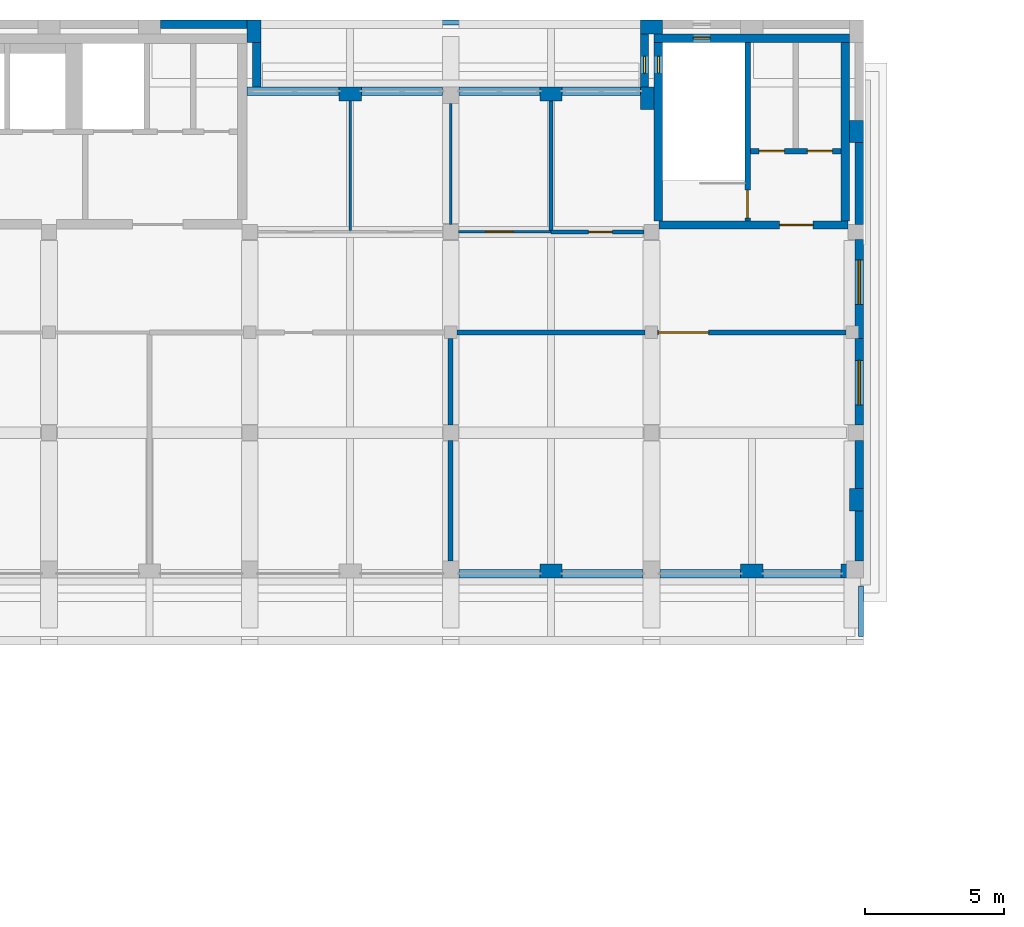
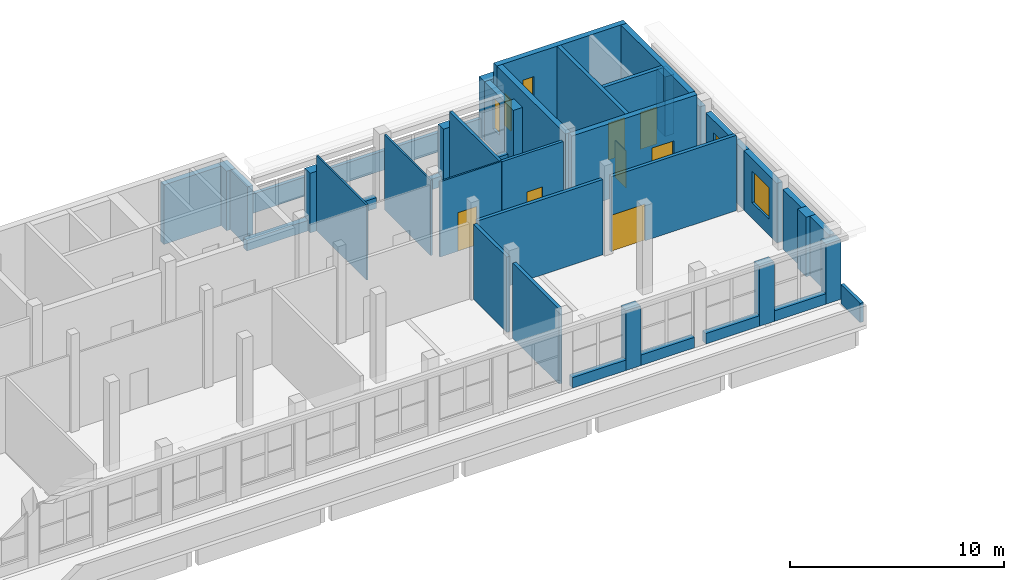
# One storey, part 20 of 30: 43 walls, 7 doors, 5 windows, 12 openings.
"""IFC4 building model written with IfcOpenShell, lengths in metres."""

from ifc_helpers import new_model, si_unit, direction, frame, frame_2d, origin, place, context, subcontext, project, spatial, rectangle, extrude, material, layer, layer_set, type_object, element, fill, save


model = new_model("IFC4")

# Units and contexts
model_context = context("Model", 3, precision=1e-05, world=origin(), true_north=direction((0.0, 1.0)))
body_context = subcontext(model_context, "Body", "Model", "MODEL_VIEW")
ifc_project = project(units=[si_unit("LENGTHUNIT", "METRE"), si_unit("AREAUNIT", "SQUARE_METRE"), si_unit("VOLUMEUNIT", "CUBIC_METRE"), si_unit("PLANEANGLEUNIT", "RADIAN"), si_unit("MASSUNIT", "GRAM", prefix="KILO")], contexts=[model_context])

# Site, building, storey
site_placement = place(None, origin())
site = spatial("IfcSite", under=ifc_project, at=site_placement, CompositionType="ELEMENT")
building_placement = place(site_placement, origin())
building = spatial("IfcBuilding", under=site, at=building_placement, Name="Ussher Court Research Institute", CompositionType="ELEMENT")
storey_placement = place(building_placement, frame((0.0, 0.0, 27.89990234375)))
storey = spatial("IfcBuildingStorey", under=building, at=storey_placement, Name="L06", CompositionType="ELEMENT", Elevation=27.89990234375)

# Wall
ifc_material_1 = material(Name="Plasterboard on steel studs with mineral wool", Category="steel")
ifc_layer_1 = layer(ifc_material_1, 0.179931640625)
ifc_layer_set_1 = layer_set([ifc_layer_1], Name="Plasterboard on steel studs with mineral wool")
wall_type_1 = type_object("IfcWallType", Name="Acoustic twin-stud partition 180", PredefinedType="PARTITIONING", material=ifc_layer_set_1)
wall_1_placement = place(storey_placement, frame((68.02490234375, 79.60009765625, 0.0), z_axis=(0.0, 0.0, 1.0), x_axis=(1.0, 0.0, 0.0)))
element("IfcWall", 1, at=wall_1_placement, inside=storey, type_object=wall_type_1, Name="Partition", PredefinedType="PARTITIONING", context=body_context, shape_type="SweptSolid", body=[
    extrude(rectangle(XDim=6.75, YDim=0.179931640625, at=frame_2d((3.375, 0.0))), origin(), (0.0, 0.0, 1.0), 4.300048828125),
])

# Wall, opening, door
wall_2_placement = place(storey_placement, frame((75.22509765625, 79.60009765625, 0.0), z_axis=(0.0, 0.0, 1.0), x_axis=(1.0, 0.0, 0.0)))
wall_2 = element("IfcWall", 2, at=wall_2_placement, inside=storey, type_object=wall_type_1, Name="Partition", PredefinedType="PARTITIONING", context=body_context, shape_type="SweptSolid", body=[
    extrude(rectangle(XDim=6.75, YDim=0.179931640625, at=frame_2d((3.375, 0.0))), origin(), (0.0, 0.0, 1.0), 4.300048828125),
])
opening_1_placement = place(wall_2_placement, frame((0.02490234375, 0.0, 0.0)))
opening_1 = element("IfcOpeningElement", 3, at=opening_1_placement, cuts=wall_2, Name="Opening D06020", PredefinedType="OPENING", context=body_context, shape_type="SweptSolid", body=[
    extrude(rectangle(XDim=1.800048828125, YDim=2.10009765625, at=frame_2d((0.89990234375, 1.050048828125))), frame((0.0, 0.10009765625, 0.0), z_axis=(0.0, -1.0, 0.0), x_axis=(1.0, 0.0, 0.0)), (0.0, 0.0, 1.0), 0.199951171875),
])
ifc_material_2 = material(Name="Veneered timber door", Category="wood")
door_type_1 = type_object("IfcDoorType", Name="Library door 1800x2100 double leaf", OperationType="DOUBLE_DOOR_SINGLE_SWING", PredefinedType="DOOR", material=ifc_material_2)
door_1_placement = place(opening_1_placement, origin())
door_1 = element("IfcDoor", 4, at=door_1_placement, inside=storey, type_object=door_type_1, Name="Door D06020", OperationType="SINGLE_SWING_LEFT", OverallHeight=2.10009765625, OverallWidth=1.800048828125, PredefinedType="DOOR", context=body_context, shape_type="SweptSolid", body=[
    extrude(rectangle(XDim=1.800048828125, YDim=2.10009765625, at=frame_2d((0.89990234375, 1.050048828125))), frame((0.0, 0.02490234375, 0.0), z_axis=(0.0, -1.0, 0.0), x_axis=(1.0, 0.0, 0.0)), (0.0, 0.0, 1.0), 0.050048828125),
])
fill(opening_1, door_1)

# Walls
wall_3_placement = place(storey_placement, frame((67.800048828125, 71.39990234375, 0.0), z_axis=(0.0, 0.0, 1.0), x_axis=(0.0, 1.0, 0.0)))
element("IfcWall", 5, at=wall_3_placement, inside=storey, type_object=wall_type_1, Name="Partition", PredefinedType="PARTITIONING", context=body_context, shape_type="SweptSolid", body=[
    extrude(rectangle(XDim=4.3251953125, YDim=0.179931640625, at=frame_2d((2.16259765625, 0.0))), origin(), (0.0, 0.0, 1.0), 4.300048828125),
])
wall_4_placement = place(storey_placement, frame((67.800048828125, 76.27490234375, 0.0), z_axis=(0.0, 0.0, 1.0), x_axis=(0.0, 1.0, 0.0)))
element("IfcWall", 6, at=wall_4_placement, inside=storey, type_object=wall_type_1, Name="Partition", PredefinedType="PARTITIONING", context=body_context, shape_type="SweptSolid", body=[
    extrude(rectangle(XDim=3.10009765625, YDim=0.179931640625, at=frame_2d((1.550048828125, 0.0))), origin(), (0.0, 0.0, 1.0), 4.300048828125),
])
ifc_material_3 = material(Name="Blockwork with cream render", Category="masonry")
ifc_layer_2 = layer(ifc_material_3, 0.300048828125)
ifc_layer_set_2 = layer_set([ifc_layer_2], Name="Blockwork with cream render")
wall_type_2 = type_object("IfcWallType", Name="External wall 300 cream render", PredefinedType="SOLIDWALL", material=ifc_layer_set_2)
wall_5_placement = place(storey_placement, frame((81.800048828125, 70.949951171875, 0.0), z_axis=(0.0, 0.0, 1.0), x_axis=(-1.0, 0.0, 0.0)))
element("IfcWall", 7, at=wall_5_placement, inside=storey, type_object=wall_type_2, Name="Plinth wall EW1 L06", PredefinedType="SOLIDWALL", context=body_context, shape_type="SweptSolid", body=[
    extrude(rectangle(XDim=2.800048828125, YDim=0.300048828125, at=frame_2d((1.39990234375, 0.0))), origin(), (0.0, 0.0, 1.0), 0.60009765625),
])
for number, where, z_axis, x_axis, name in (
    (8, (78.199951171875, 70.949951171875, 0.0), (0.0, 0.0, 1.0), (-1.0, 0.0, 0.0), "Plinth wall EW1 L06"),
    (9, (74.699951171875, 70.949951171875, 0.0), (0.0, 0.0, 1.0), (-1.0, 0.0, 0.0), "Plinth wall EW1 L06"),
    (10, (71.0, 70.949951171875, 0.0), (0.0, 0.0, 1.0), (-1.0, 0.0, 0.0), "Plinth wall EW1 L06"),
):
    element("IfcWall", number, at=place(storey_placement, frame(where, z_axis=z_axis, x_axis=x_axis)), inside=storey, type_object=wall_type_2, Name=name, PredefinedType="SOLIDWALL", context=body_context, shape_type="SweptSolid", body=[
        extrude(rectangle(XDim=2.89990234375, YDim=0.300048828125, at=frame_2d((1.449951171875, 0.0))), origin(), (0.0, 0.0, 1.0), 0.60009765625),
    ])
wall_6_placement = place(storey_placement, frame((60.5, 88.25, 0.0), z_axis=(0.0, 0.0, 1.0), x_axis=(1.0, 0.0, 0.0)))
element("IfcWall", 11, at=wall_6_placement, inside=storey, type_object=wall_type_2, Name="Plinth wall EW1 L06", PredefinedType="SOLIDWALL", context=body_context, shape_type="SweptSolid", body=[
    extrude(rectangle(XDim=3.300048828125, YDim=0.300048828125, at=frame_2d((1.64990234375, 0.0))), origin(), (0.0, 0.0, 1.0), 0.60009765625),
])
for number, where, z_axis, x_axis, name in (
    (12, (64.60009765625, 88.25, 0.0), (0.0, 0.0, 1.0), (1.0, 0.0, 0.0), "Plinth wall EW1 L06"),
    (13, (68.10009765625, 88.25, 0.0), (0.0, 0.0, 1.0), (1.0, 0.0, 0.0), "Plinth wall EW1 L06"),
):
    element("IfcWall", number, at=place(storey_placement, frame(where, z_axis=z_axis, x_axis=x_axis)), inside=storey, type_object=wall_type_2, Name=name, PredefinedType="SOLIDWALL", context=body_context, shape_type="SweptSolid", body=[
        extrude(rectangle(XDim=2.89990234375, YDim=0.300048828125, at=frame_2d((1.449951171875, 0.0))), origin(), (0.0, 0.0, 1.0), 0.60009765625),
    ])
wall_7_placement = place(storey_placement, frame((71.800048828125, 88.25, 0.0), z_axis=(0.0, 0.0, 1.0), x_axis=(1.0, 0.0, 0.0)))
element("IfcWall", 14, at=wall_7_placement, inside=storey, type_object=wall_type_2, Name="Plinth wall EW1 L06", PredefinedType="SOLIDWALL", context=body_context, shape_type="SweptSolid", body=[
    extrude(rectangle(XDim=2.800048828125, YDim=0.300048828125, at=frame_2d((1.39990234375, 0.0))), origin(), (0.0, 0.0, 1.0), 0.60009765625),
])

# Wall, opening, window
wall_8_placement = place(storey_placement, frame((82.449951171875, 82.925048828125, 0.0), z_axis=(0.0, 0.0, 1.0), x_axis=(0.0, -1.0, 0.0)))
wall_8 = element("IfcWall", 15, at=wall_8_placement, inside=storey, type_object=wall_type_2, Name="External wall EW1 L06", PredefinedType="SOLIDWALL", context=body_context, shape_type="SweptSolid", body=[
    extrude(rectangle(XDim=3.550048828125, YDim=0.300048828125, at=frame_2d((1.77490234375, 0.0))), origin(), (0.0, 0.0, 1.0), 3.400146484375),
])
opening_2_placement = place(wall_8_placement, frame((0.72509765625, 0.0, 0.89990234375)))
opening_2 = element("IfcOpeningElement", 16, at=opening_2_placement, cuts=wall_8, Name="Opening W02", PredefinedType="OPENING", context=body_context, shape_type="SweptSolid", body=[
    extrude(rectangle(XDim=1.60009765625, YDim=1.800048828125, at=frame_2d((0.800048828125, 0.89990234375))), frame((0.0, 0.16015625, 0.0), z_axis=(0.0, -1.0, 0.0), x_axis=(1.0, 0.0, 0.0)), (0.0, 0.0, 1.0), 0.320068359375),
])
ifc_material_4 = material(Name="Bronze anodised aluminium with double glazing", Category="aluminium")
window_type_1 = type_object("IfcWindowType", Name="Attic window 1600x1800", PartitioningType="DOUBLE_PANEL_VERTICAL", PredefinedType="WINDOW", material=ifc_material_4)
window_1_placement = place(opening_2_placement, origin())
window_1 = element("IfcWindow", 17, at=window_1_placement, inside=storey, type_object=window_type_1, Name="Window W02 L06", OverallHeight=1.800048828125, OverallWidth=1.60009765625, PartitioningType="SINGLE_PANEL", PredefinedType="WINDOW", context=body_context, shape_type="SweptSolid", body=[
    extrude(rectangle(XDim=1.60009765625, YDim=1.800048828125, at=frame_2d((0.800048828125, 0.89990234375))), frame((0.0, 0.030029296875, 0.0), z_axis=(0.0, -1.0, 0.0), x_axis=(1.0, 0.0, 0.0)), (0.0, 0.0, 1.0), 0.06005859375),
])
fill(opening_2, window_1)

wall_9_placement = place(storey_placement, frame((82.449951171875, 79.375, 0.0), z_axis=(0.0, 0.0, 1.0), x_axis=(0.0, -1.0, 0.0)))
wall_9 = element("IfcWall", 18, at=wall_9_placement, inside=storey, type_object=wall_type_2, Name="External wall EW1 L06", PredefinedType="SOLIDWALL", context=body_context, shape_type="SweptSolid", body=[
    extrude(rectangle(XDim=3.10009765625, YDim=0.300048828125, at=frame_2d((1.550048828125, 0.0))), origin(), (0.0, 0.0, 1.0), 3.400146484375),
])
opening_3_placement = place(wall_9_placement, frame((0.77490234375, 0.0, 0.89990234375)))
opening_3 = element("IfcOpeningElement", 19, at=opening_3_placement, cuts=wall_9, Name="Opening W02", PredefinedType="OPENING", context=body_context, shape_type="SweptSolid", body=[
    extrude(rectangle(XDim=1.60009765625, YDim=1.800048828125, at=frame_2d((0.800048828125, 0.89990234375))), frame((0.0, 0.16015625, 0.0), z_axis=(0.0, -1.0, 0.0), x_axis=(1.0, 0.0, 0.0)), (0.0, 0.0, 1.0), 0.320068359375),
])
window_2_placement = place(opening_3_placement, origin())
window_2 = element("IfcWindow", 20, at=window_2_placement, inside=storey, type_object=window_type_1, Name="Window W02 L06", OverallHeight=1.800048828125, OverallWidth=1.60009765625, PartitioningType="SINGLE_PANEL", PredefinedType="WINDOW", context=body_context, shape_type="SweptSolid", body=[
    extrude(rectangle(XDim=1.60009765625, YDim=1.800048828125, at=frame_2d((0.800048828125, 0.89990234375))), frame((0.0, 0.030029296875, 0.0), z_axis=(0.0, -1.0, 0.0), x_axis=(1.0, 0.0, 0.0)), (0.0, 0.0, 1.0), 0.06005859375),
])
fill(opening_3, window_2)

# Walls
wall_10_placement = place(storey_placement, frame((82.449951171875, 75.72509765625, 0.0), z_axis=(0.0, 0.0, 1.0), x_axis=(0.0, -1.0, 0.0)))
element("IfcWall", 21, at=wall_10_placement, inside=storey, type_object=wall_type_2, Name="External wall EW1 L06", PredefinedType="SOLIDWALL", context=body_context, shape_type="SweptSolid", body=[
    extrude(rectangle(XDim=1.72509765625, YDim=0.300048828125, at=frame_2d((0.862548828125, 0.0))), origin(), (0.0, 0.0, 1.0), 3.400146484375),
])
wall_11_placement = place(storey_placement, frame((82.449951171875, 73.199951171875, 0.0), z_axis=(0.0, 0.0, 1.0), x_axis=(0.0, -1.0, 0.0)))
element("IfcWall", 22, at=wall_11_placement, inside=storey, type_object=wall_type_2, Name="External wall EW1 L06", PredefinedType="SOLIDWALL", context=body_context, shape_type="SweptSolid", body=[
    extrude(rectangle(XDim=1.800048828125, YDim=0.300048828125, at=frame_2d((0.89990234375, 0.0))), origin(), (0.0, 0.0, 1.0), 3.400146484375),
])
ifc_material_5 = material(Name="Limestone facing on blockwork", Category="masonry")
ifc_layer_3 = layer(ifc_material_5, 0.300048828125)
ifc_layer_set_3 = layer_set([ifc_layer_3], Name="Limestone facing on blockwork")
wall_type_3 = type_object("IfcWallType", Name="External wall 300 stair enclosure", PredefinedType="SOLIDWALL", material=ifc_layer_set_3)
wall_12_placement = place(storey_placement, frame((57.39990234375, 90.64990234375, 0.0), z_axis=(0.0, 0.0, 1.0), x_axis=(1.0, 0.0, 0.0)))
element("IfcWall", 23, at=wall_12_placement, inside=storey, type_object=wall_type_3, Name="External wall EW5 L06", PredefinedType="SOLIDWALL", context=body_context, shape_type="SweptSolid", body=[
    extrude(rectangle(XDim=3.10009765625, YDim=0.300048828125, at=frame_2d((1.550048828125, 0.0))), origin(), (0.0, 0.0, 1.0), 3.400146484375),
])
wall_13_placement = place(storey_placement, frame((60.85009765625, 90.0, 0.0), z_axis=(0.0, 0.0, 1.0), x_axis=(0.0, -1.0, 0.0)))
element("IfcWall", 24, at=wall_13_placement, inside=storey, type_object=wall_type_3, Name="External wall EW5 L06", PredefinedType="SOLIDWALL", context=body_context, shape_type="SweptSolid", body=[
    extrude(rectangle(XDim=1.60009765625, YDim=0.300048828125, at=frame_2d((0.800048828125, 0.0))), origin(), (0.0, 0.0, 1.0), 3.400146484375),
])

# Wall, opening, window
wall_14_placement = place(storey_placement, frame((74.75, 88.39990234375, 0.0), z_axis=(0.0, 0.0, 1.0), x_axis=(0.0, 1.0, 0.0)))
wall_14 = element("IfcWall", 25, at=wall_14_placement, inside=storey, type_object=wall_type_3, Name="External wall EW5 L06", PredefinedType="SOLIDWALL", context=body_context, shape_type="SweptSolid", body=[
    extrude(rectangle(XDim=1.900146484375, YDim=0.300048828125, at=frame_2d((0.9501953125, 0.0))), origin(), (0.0, 0.0, 1.0), 3.400146484375),
])
opening_4_placement = place(wall_14_placement, frame((0.5, 0.0, 1.199951171875)))
opening_4 = element("IfcOpeningElement", 26, at=opening_4_placement, cuts=wall_14, Name="Opening W25", PredefinedType="OPENING", context=body_context, shape_type="SweptSolid", body=[
    extrude(rectangle(XDim=0.60009765625, YDim=1.800048828125, at=frame_2d((0.300048828125, 0.89990234375))), frame((0.0, 0.16015625, 0.0), z_axis=(0.0, -1.0, 0.0), x_axis=(1.0, 0.0, 0.0)), (0.0, 0.0, 1.0), 0.320068359375),
])
ifc_material_6 = material(Name="Bronze anodised aluminium with double glazing", Category="aluminium")
window_type_2 = type_object("IfcWindowType", Name="Stair light slot window 600x1800 fire-resisting glazing", PartitioningType="SINGLE_PANEL", PredefinedType="WINDOW", material=ifc_material_6)
window_3_placement = place(opening_4_placement, origin())
window_3 = element("IfcWindow", 27, at=window_3_placement, inside=storey, type_object=window_type_2, Name="Window W25 L06", OverallHeight=1.800048828125, OverallWidth=0.60009765625, PartitioningType="SINGLE_PANEL", PredefinedType="WINDOW", context=body_context, shape_type="SweptSolid", body=[
    extrude(rectangle(XDim=0.60009765625, YDim=1.800048828125, at=frame_2d((0.300048828125, 0.89990234375))), frame((0.0, 0.030029296875, 0.0), z_axis=(0.0, -1.0, 0.0), x_axis=(1.0, 0.0, 0.0)), (0.0, 0.0, 1.0), 0.06005859375),
])
fill(opening_4, window_3)

# Wall
wall_15_placement = place(storey_placement, frame((82.449951171875, 86.39990234375, 0.0), z_axis=(0.0, 0.0, 1.0), x_axis=(0.0, -1.0, 0.0)))
element("IfcWall", 28, at=wall_15_placement, inside=storey, type_object=wall_type_3, Name="External wall EW5 L06", PredefinedType="SOLIDWALL", context=body_context, shape_type="SweptSolid", body=[
    extrude(rectangle(XDim=2.9248046875, YDim=0.300048828125, at=frame_2d((1.46240234375, 0.0))), origin(), (0.0, 0.0, 1.0), 3.400146484375),
])

# Wall, opening, door
ifc_material_7 = material(Name="Plastered blockwork", Category="masonry")
ifc_layer_4 = layer(ifc_material_7, 0.14990234375)
ifc_layer_set_4 = layer_set([ifc_layer_4], Name="Plastered blockwork")
wall_type_4 = type_object("IfcWallType", Name="Fire partition blockwork 150 EI 60", PredefinedType="PARTITIONING", material=ifc_layer_set_4)
wall_16_placement = place(storey_placement, frame((71.39990234375, 83.199951171875, 0.0), z_axis=(0.0, 0.0, 1.0), x_axis=(1.0, 0.0, 0.0)))
wall_16 = element("IfcWall", 29, at=wall_16_placement, inside=storey, type_object=wall_type_4, Name="Fire partition", PredefinedType="PARTITIONING", context=body_context, shape_type="SweptSolid", body=[
    extrude(rectangle(XDim=3.3251953125, YDim=0.14990234375, at=frame_2d((1.66259765625, 0.0))), origin(), (0.0, 0.0, 1.0), 4.300048828125),
])
opening_5_placement = place(wall_16_placement, frame((1.35009765625, 0.0, 0.0)))
opening_5 = element("IfcOpeningElement", 30, at=opening_5_placement, cuts=wall_16, Name="Opening D06019", PredefinedType="OPENING", context=body_context, shape_type="SweptSolid", body=[
    extrude(rectangle(XDim=0.85009765625, YDim=2.10009765625, at=frame_2d((0.425048828125, 1.050048828125))), frame((0.0, 0.0849609375, 0.0), z_axis=(0.0, -1.0, 0.0), x_axis=(1.0, 0.0, 0.0)), (0.0, 0.0, 1.0), 0.169921875),
])
ifc_material_8 = material(Name="Painted steel faced fire door", Category="steel")
door_type_2 = type_object("IfcDoorType", Name="Service store door 850x2100 FD60", OperationType="NOTDEFINED", PredefinedType="DOOR", material=ifc_material_8)
door_2_placement = place(opening_5_placement, origin())
door_2 = element("IfcDoor", 31, at=door_2_placement, inside=storey, type_object=door_type_2, Name="Door D06019", OperationType="SINGLE_SWING_RIGHT", OverallHeight=2.10009765625, OverallWidth=0.85009765625, PredefinedType="DOOR", context=body_context, shape_type="SweptSolid", body=[
    extrude(rectangle(XDim=0.85009765625, YDim=2.10009765625, at=frame_2d((0.425048828125, 1.050048828125))), frame((0.0, 0.02490234375, 0.0), z_axis=(0.0, -1.0, 0.0), x_axis=(1.0, 0.0, 0.0)), (0.0, 0.0, 1.0), 0.050048828125),
])
fill(opening_5, door_2)

# Walls
wall_17_placement = place(storey_placement, frame((71.39990234375, 83.2451171875, 0.0), z_axis=(0.0, 0.0, 1.0), x_axis=(0.0, 1.0, 0.0)))
element("IfcWall", 32, at=wall_17_placement, inside=storey, type_object=wall_type_4, Name="Fire partition", PredefinedType="PARTITIONING", context=body_context, shape_type="SweptSolid", body=[
    extrude(rectangle(XDim=4.65478515625, YDim=0.14990234375, at=frame_2d((2.327392578125, 0.0))), origin(), (0.0, 0.0, 1.0), 4.300048828125),
])
ifc_material_9 = material(Name="Blockwork with cream render", Category="masonry")
ifc_layer_5 = layer(ifc_material_9, 0.179931640625)
ifc_layer_set_5 = layer_set([ifc_layer_5], Name="Blockwork with cream render")
wall_type_5 = type_object("IfcWallType", Name="Parapet 180 cream render", PredefinedType="PARAPET", material=ifc_layer_set_5)
wall_18_placement = place(storey_placement, frame((82.510009765625, 68.699951171875, 0.0), z_axis=(0.0, 0.0, 1.0), x_axis=(0.0, 1.0, 0.0)))
element("IfcWall", 33, at=wall_18_placement, inside=storey, type_object=wall_type_5, Name="Parapet PW1", PredefinedType="PARAPET", context=body_context, shape_type="SweptSolid", body=[
    extrude(rectangle(XDim=1.800048828125, YDim=0.179931640625, at=frame_2d((0.89990234375, 0.0))), origin(), (0.0, 0.0, 1.0), 1.10009765625),
])
wall_19_placement = place(storey_placement, frame((74.60009765625, 90.7099609375, 0.0), z_axis=(0.0, 0.0, 1.0), x_axis=(-1.0, 0.0, 0.0)))
element("IfcWall", 34, at=wall_19_placement, inside=storey, type_object=wall_type_5, Name="Parapet PW1", PredefinedType="PARAPET", context=body_context, shape_type="SweptSolid", body=[
    extrude(rectangle(XDim=13.60009765625, YDim=0.179931640625, at=frame_2d((6.800048828125, 0.0))), origin(), (0.0, 0.0, 1.0), 1.10009765625),
])
ifc_material_10 = material(Name="Blockwork with cream render", Category="masonry")
ifc_layer_6 = layer(ifc_material_10, 0.5)
ifc_layer_set_6 = layer_set([ifc_layer_6], Name="Blockwork with cream render")
wall_type_6 = type_object("IfcWallType", Name="Pier 800x500 cream render", PredefinedType="SOLIDWALL", material=ifc_layer_set_6)
for number, where, z_axis, x_axis, name in (
    (35, (82.60009765625, 71.050048828125, 0.0), (0.0, 0.0, 1.0), (-1.0, 0.0, 0.0), "Pier PR1 L06"),
    (36, (79.0, 71.050048828125, 0.0), (0.0, 0.0, 1.0), (-1.0, 0.0, 0.0), "Pier PR1 L06"),
    (37, (71.800048828125, 71.050048828125, 0.0), (0.0, 0.0, 1.0), (-1.0, 0.0, 0.0), "Pier PR1 L06"),
    (38, (60.75, 90.800048828125, 0.0), (0.0, 0.0, 1.0), (0.0, -1.0, 0.0), "Pier PR1 L06"),
    (39, (63.800048828125, 88.14990234375, 0.0), (0.0, 0.0, 1.0), (1.0, 0.0, 0.0), "Pier PR1 L06"),
    (40, (71.0, 88.14990234375, 0.0), (0.0, 0.0, 1.0), (1.0, 0.0, 0.0), "Pier PR1 L06"),
):
    element("IfcWall", number, at=place(storey_placement, frame(where, z_axis=z_axis, x_axis=x_axis)), inside=storey, type_object=wall_type_6, Name=name, PredefinedType="SOLIDWALL", context=body_context, shape_type="SweptSolid", body=[
        extrude(rectangle(XDim=0.800048828125, YDim=0.5, at=frame_2d((0.39990234375, 0.0))), origin(), (0.0, 0.0, 1.0), 3.400146484375),
    ])
for number, where, z_axis, x_axis, name in (
    (41, (74.85009765625, 87.60009765625, 0.0), (0.0, 0.0, 1.0), (0.0, 1.0, 0.0), "Pier PR1 L06"),
    (42, (74.60009765625, 90.550048828125, 0.0), (0.0, 0.0, 1.0), (1.0, 0.0, 0.0), "Pier PR1 L06"),
):
    element("IfcWall", number, at=place(storey_placement, frame(where, z_axis=z_axis, x_axis=x_axis)), inside=storey, type_object=wall_type_6, Name=name, PredefinedType="SOLIDWALL", context=body_context, shape_type="SweptSolid", body=[
        extrude(rectangle(XDim=0.7998046875, YDim=0.5, at=frame_2d((0.39990234375, 0.0))), origin(), (0.0, 0.0, 1.0), 3.400146484375),
    ])
for number, where, z_axis, x_axis, name in (
    (43, (82.35009765625, 87.199951171875, 0.0), (0.0, 0.0, 1.0), (0.0, -1.0, 0.0), "Pier PR1 L06"),
    (44, (82.35009765625, 74.0, 0.0), (0.0, 0.0, 1.0), (0.0, -1.0, 0.0), "Pier PR1 L06"),
):
    element("IfcWall", number, at=place(storey_placement, frame(where, z_axis=z_axis, x_axis=x_axis)), inside=storey, type_object=wall_type_6, Name=name, PredefinedType="SOLIDWALL", context=body_context, shape_type="SweptSolid", body=[
        extrude(rectangle(XDim=0.800048828125, YDim=0.5, at=frame_2d((0.39990234375, 0.0))), origin(), (0.0, 0.0, 1.0), 3.400146484375),
    ])

# Wall, opening, door
ifc_material_11 = material(Name="Concrete C35/45", Category="concrete")
ifc_layer_7 = layer(ifc_material_11, 0.199951171875)
ifc_layer_set_7 = layer_set([ifc_layer_7], Name="Concrete C35/45")
wall_type_7 = type_object("IfcWallType", Name="RC core wall 200", PredefinedType="SHEAR", material=ifc_layer_set_7)
wall_20_placement = place(storey_placement, frame((78.449951171875, 83.60009765625, 0.0), z_axis=(0.0, 0.0, 1.0), x_axis=(0.0, 1.0, 0.0)))
wall_20 = element("IfcWall", 45, at=wall_20_placement, inside=storey, type_object=wall_type_7, Name="Core wall D3", PredefinedType="SHEAR", context=body_context, shape_type="SweptSolid", body=[
    extrude(rectangle(XDim=6.39990234375, YDim=0.199951171875, at=frame_2d((3.199951171875, 0.0))), origin(), (0.0, 0.0, 1.0), 4.300048828125),
])
opening_6_placement = place(wall_20_placement, frame((0.10009765625, 0.0, 0.0)))
opening_6 = element("IfcOpeningElement", 46, at=opening_6_placement, cuts=wall_20, Name="Opening D06021", PredefinedType="OPENING", context=body_context, shape_type="SweptSolid", body=[
    extrude(rectangle(XDim=1.0, YDim=2.10009765625, at=frame_2d((0.5, 1.050048828125))), frame((0.0, 0.10986328125, 0.0), z_axis=(0.0, -1.0, 0.0), x_axis=(1.0, 0.0, 0.0)), (0.0, 0.0, 1.0), 0.219970703125),
])
ifc_material_12 = material(Name="Painted steel faced fire door", Category="steel")
door_type_3 = type_object("IfcDoorType", Name="Fire door 1000x2100 FD60", OperationType="NOTDEFINED", PredefinedType="DOOR", material=ifc_material_12)
door_3_placement = place(opening_6_placement, origin())
door_3 = element("IfcDoor", 47, at=door_3_placement, inside=storey, type_object=door_type_3, Name="Door D06021", OperationType="SINGLE_SWING_LEFT", OverallHeight=2.10009765625, OverallWidth=1.0, PredefinedType="DOOR", context=body_context, shape_type="SweptSolid", body=[
    extrude(rectangle(XDim=1.0, YDim=2.10009765625, at=frame_2d((0.5, 1.050048828125))), frame((0.0, 0.02490234375, 0.0), z_axis=(0.0, -1.0, 0.0), x_axis=(1.0, 0.0, 0.0)), (0.0, 0.0, 1.0), 0.050048828125),
])
fill(opening_6, door_3)

# Wall, openings, doors
wall_21_placement = place(storey_placement, frame((81.800048828125, 86.10009765625, 0.0), z_axis=(0.0, 0.0, 1.0), x_axis=(-1.0, 0.0, 0.0)))
wall_21 = element("IfcWall", 48, at=wall_21_placement, inside=storey, type_object=wall_type_7, Name="Core wall D3", PredefinedType="SHEAR", context=body_context, shape_type="SweptSolid", body=[
    extrude(rectangle(XDim=3.25, YDim=0.199951171875, at=frame_2d((1.625, 0.0))), origin(), (0.0, 0.0, 1.0), 4.300048828125),
])
opening_7_placement = place(wall_21_placement, frame((2.03759765625, 0.0, 0.0)))
opening_7 = element("IfcOpeningElement", 49, at=opening_7_placement, cuts=wall_21, Name="Opening D06022", PredefinedType="OPENING", context=body_context, shape_type="SweptSolid", body=[
    extrude(rectangle(XDim=0.89990234375, YDim=2.10009765625, at=frame_2d((0.449951171875, 1.050048828125))), frame((0.0, 0.10986328125, 0.0), z_axis=(0.0, -1.0, 0.0), x_axis=(1.0, 0.0, 0.0)), (0.0, 0.0, 1.0), 0.219970703125),
])
opening_8_placement = place(wall_21_placement, frame((0.3125, 0.0, 0.0)))
opening_8 = element("IfcOpeningElement", 50, at=opening_8_placement, cuts=wall_21, Name="Opening D06024", PredefinedType="OPENING", context=body_context, shape_type="SweptSolid", body=[
    extrude(rectangle(XDim=0.89990234375, YDim=2.10009765625, at=frame_2d((0.449951171875, 1.050048828125))), frame((0.0, 0.10986328125, 0.0), z_axis=(0.0, -1.0, 0.0), x_axis=(1.0, 0.0, 0.0)), (0.0, 0.0, 1.0), 0.219970703125),
])
ifc_material_13 = material(Name="Painted steel faced fire door", Category="steel")
door_type_4 = type_object("IfcDoorType", Name="Fire door 900x2100 FD60", OperationType="NOTDEFINED", PredefinedType="DOOR", material=ifc_material_13)
door_4_placement = place(opening_7_placement, origin())
door_4 = element("IfcDoor", 51, at=door_4_placement, inside=storey, type_object=door_type_4, Name="Door D06022", OperationType="SINGLE_SWING_RIGHT", OverallHeight=2.10009765625, OverallWidth=0.89990234375, PredefinedType="DOOR", context=body_context, shape_type="SweptSolid", body=[
    extrude(rectangle(XDim=0.89990234375, YDim=2.10009765625, at=frame_2d((0.449951171875, 1.050048828125))), frame((0.0, 0.02490234375, 0.0), z_axis=(0.0, -1.0, 0.0), x_axis=(1.0, 0.0, 0.0)), (0.0, 0.0, 1.0), 0.050048828125),
])
fill(opening_7, door_4)
door_5_placement = place(opening_8_placement, origin())
door_5 = element("IfcDoor", 52, at=door_5_placement, inside=storey, type_object=door_type_4, Name="Door D06024", OperationType="SINGLE_SWING_LEFT", OverallHeight=2.10009765625, OverallWidth=0.89990234375, PredefinedType="DOOR", context=body_context, shape_type="SweptSolid", body=[
    extrude(rectangle(XDim=0.89990234375, YDim=2.10009765625, at=frame_2d((0.449951171875, 1.050048828125))), frame((0.0, 0.02490234375, 0.0), z_axis=(0.0, -1.0, 0.0), x_axis=(1.0, 0.0, 0.0)), (0.0, 0.0, 1.0), 0.050048828125),
])
fill(opening_8, door_5)

# Wall, opening, door
ifc_material_14 = material(Name="Concrete C35/45", Category="concrete")
ifc_layer_8 = layer(ifc_material_14, 0.300048828125)
ifc_layer_set_8 = layer_set([ifc_layer_8], Name="Concrete C35/45")
wall_type_8 = type_object("IfcWallType", Name="RC core wall 300", PredefinedType="SHEAR", material=ifc_layer_set_8)
wall_22_placement = place(storey_placement, frame((75.27490234375, 83.449951171875, 0.0), z_axis=(0.0, 0.0, 1.0), x_axis=(1.0, 0.0, 0.0)))
wall_22 = element("IfcWall", 53, at=wall_22_placement, inside=storey, type_object=wall_type_8, Name="Core wall D3", PredefinedType="SHEAR", context=body_context, shape_type="SweptSolid", body=[
    extrude(rectangle(XDim=6.775146484375, YDim=0.300048828125, at=frame_2d((3.3876953125, 0.0))), origin(), (0.0, 0.0, 1.0), 4.300048828125),
])
opening_9_placement = place(wall_22_placement, frame((4.324951171875, 0.0, 0.0)))
opening_9 = element("IfcOpeningElement", 54, at=opening_9_placement, cuts=wall_22, Name="Opening D06023", PredefinedType="OPENING", context=body_context, shape_type="SweptSolid", body=[
    extrude(rectangle(XDim=1.199951171875, YDim=2.10009765625, at=frame_2d((0.60009765625, 1.050048828125))), frame((0.0, 0.16015625, 0.0), z_axis=(0.0, -1.0, 0.0), x_axis=(1.0, 0.0, 0.0)), (0.0, 0.0, 1.0), 0.320068359375),
])
ifc_material_15 = material(Name="Painted steel faced fire door", Category="steel")
door_type_5 = type_object("IfcDoorType", Name="Fire door 1200x2100 FD60", OperationType="NOTDEFINED", PredefinedType="DOOR", material=ifc_material_15)
door_6_placement = place(opening_9_placement, origin())
door_6 = element("IfcDoor", 55, at=door_6_placement, inside=storey, type_object=door_type_5, Name="Door D06023", OperationType="SINGLE_SWING_RIGHT", OverallHeight=2.10009765625, OverallWidth=1.199951171875, PredefinedType="DOOR", context=body_context, shape_type="SweptSolid", body=[
    extrude(rectangle(XDim=1.199951171875, YDim=2.10009765625, at=frame_2d((0.60009765625, 1.050048828125))), frame((0.0, 0.02490234375, 0.0), z_axis=(0.0, -1.0, 0.0), x_axis=(1.0, 0.0, 0.0)), (0.0, 0.0, 1.0), 0.050048828125),
])
fill(opening_9, door_6)

# Wall, opening, window
wall_23_placement = place(storey_placement, frame((75.10009765625, 90.14990234375, 0.0), z_axis=(0.0, 0.0, 1.0), x_axis=(1.0, 0.0, 0.0)))
wall_23 = element("IfcWall", 56, at=wall_23_placement, inside=storey, type_object=wall_type_8, Name="Core wall D3", PredefinedType="SHEAR", context=body_context, shape_type="SweptSolid", body=[
    extrude(rectangle(XDim=7.0, YDim=0.300048828125, at=frame_2d((3.5, 0.0))), origin(), (0.0, 0.0, 1.0), 4.300048828125),
])
opening_10_placement = place(wall_23_placement, frame((1.39990234375, 0.0, 1.199951171875)))
opening_10 = element("IfcOpeningElement", 57, at=opening_10_placement, cuts=wall_23, Name="Opening W25", PredefinedType="OPENING", context=body_context, shape_type="SweptSolid", body=[
    extrude(rectangle(XDim=0.60009765625, YDim=1.800048828125, at=frame_2d((0.300048828125, 0.89990234375))), frame((0.0, 0.16015625, 0.0), z_axis=(0.0, -1.0, 0.0), x_axis=(1.0, 0.0, 0.0)), (0.0, 0.0, 1.0), 0.320068359375),
])
window_4_placement = place(opening_10_placement, origin())
window_4 = element("IfcWindow", 58, at=window_4_placement, inside=storey, type_object=window_type_2, Name="Window stair light D3 L06", OverallHeight=1.800048828125, OverallWidth=0.60009765625, PartitioningType="SINGLE_PANEL", PredefinedType="WINDOW", context=body_context, shape_type="SweptSolid", body=[
    extrude(rectangle(XDim=0.60009765625, YDim=1.800048828125, at=frame_2d((0.300048828125, 0.89990234375))), frame((0.0, 0.030029296875, 0.0), z_axis=(0.0, -1.0, 0.0), x_axis=(1.0, 0.0, 0.0)), (0.0, 0.0, 1.0), 0.06005859375),
])
fill(opening_10, window_4)

wall_24_placement = place(storey_placement, frame((75.25, 83.60009765625, 0.0), z_axis=(0.0, 0.0, 1.0), x_axis=(0.0, 1.0, 0.0)))
wall_24 = element("IfcWall", 59, at=wall_24_placement, inside=storey, type_object=wall_type_8, Name="Core wall D3", PredefinedType="SHEAR", context=body_context, shape_type="SweptSolid", body=[
    extrude(rectangle(XDim=6.39990234375, YDim=0.300048828125, at=frame_2d((3.199951171875, 0.0))), origin(), (0.0, 0.0, 1.0), 4.300048828125),
])
opening_11_placement = place(wall_24_placement, frame((5.300048828125, 0.0, 1.199951171875)))
opening_11 = element("IfcOpeningElement", 60, at=opening_11_placement, cuts=wall_24, Name="Opening W25", PredefinedType="OPENING", context=body_context, shape_type="SweptSolid", body=[
    extrude(rectangle(XDim=0.60009765625, YDim=1.800048828125, at=frame_2d((0.300048828125, 0.89990234375))), frame((0.0, 0.16015625, 0.0), z_axis=(0.0, -1.0, 0.0), x_axis=(1.0, 0.0, 0.0)), (0.0, 0.0, 1.0), 0.320068359375),
])
window_5_placement = place(opening_11_placement, origin())
window_5 = element("IfcWindow", 61, at=window_5_placement, inside=storey, type_object=window_type_2, Name="Window stair light D3 L06", OverallHeight=1.800048828125, OverallWidth=0.60009765625, PartitioningType="SINGLE_PANEL", PredefinedType="WINDOW", context=body_context, shape_type="SweptSolid", body=[
    extrude(rectangle(XDim=0.60009765625, YDim=1.800048828125, at=frame_2d((0.300048828125, 0.89990234375))), frame((0.0, 0.030029296875, 0.0), z_axis=(0.0, -1.0, 0.0), x_axis=(1.0, 0.0, 0.0)), (0.0, 0.0, 1.0), 0.06005859375),
])
fill(opening_11, window_5)

# Wall
wall_25_placement = place(storey_placement, frame((81.949951171875, 83.60009765625, 0.0), z_axis=(0.0, 0.0, 1.0), x_axis=(0.0, 1.0, 0.0)))
element("IfcWall", 62, at=wall_25_placement, inside=storey, type_object=wall_type_8, Name="Core wall D3", PredefinedType="SHEAR", context=body_context, shape_type="SweptSolid", body=[
    extrude(rectangle(XDim=6.39990234375, YDim=0.300048828125, at=frame_2d((3.199951171875, 0.0))), origin(), (0.0, 0.0, 1.0), 4.300048828125),
])

# Wall, opening, door
ifc_material_16 = material(Name="Moisture-resistant board on steel studs", Category="steel")
ifc_layer_9 = layer(ifc_material_16, 0.090087890625)
ifc_layer_set_9 = layer_set([ifc_layer_9], Name="Moisture-resistant board on steel studs")
wall_type_9 = type_object("IfcWallType", Name="WC lining partition 90", PredefinedType="PARTITIONING", material=ifc_layer_set_9)
wall_26_placement = place(storey_placement, frame((68.074951171875, 83.199951171875, 0.0), z_axis=(0.0, 0.0, 1.0), x_axis=(1.0, 0.0, 0.0)))
wall_26 = element("IfcWall", 63, at=wall_26_placement, inside=storey, type_object=wall_type_9, Name="Partition", PredefinedType="PARTITIONING", context=body_context, shape_type="SweptSolid", body=[
    extrude(rectangle(XDim=3.324951171875, YDim=0.090087890625, at=frame_2d((1.66259765625, 0.0))), origin(), (0.0, 0.0, 1.0), 4.300048828125),
])
opening_12_placement = place(wall_26_placement, frame((0.97509765625, 0.0, 0.0)))
opening_12 = element("IfcOpeningElement", 64, at=opening_12_placement, cuts=wall_26, Name="Opening D06018", PredefinedType="OPENING", context=body_context, shape_type="SweptSolid", body=[
    extrude(rectangle(XDim=1.0, YDim=2.199951171875, at=frame_2d((0.5, 1.10009765625))), frame((0.0, 0.05517578125, 0.0), z_axis=(0.0, -1.0, 0.0), x_axis=(1.0, 0.0, 0.0)), (0.0, 0.0, 1.0), 0.110107421875),
])
ifc_material_17 = material(Name="Veneered timber door", Category="wood")
door_type_6 = type_object("IfcDoorType", Name="Accessible WC door 1000x2200", OperationType="NOTDEFINED", PredefinedType="DOOR", material=ifc_material_17)
door_7_placement = place(opening_12_placement, origin())
door_7 = element("IfcDoor", 65, at=door_7_placement, inside=storey, type_object=door_type_6, Name="Door D06018", OperationType="SINGLE_SWING_LEFT", OverallHeight=2.199951171875, OverallWidth=1.0, PredefinedType="DOOR", context=body_context, shape_type="SweptSolid", body=[
    extrude(rectangle(XDim=1.0, YDim=2.199951171875, at=frame_2d((0.5, 1.10009765625))), frame((0.0, 0.02490234375, 0.0), z_axis=(0.0, -1.0, 0.0), x_axis=(1.0, 0.0, 0.0)), (0.0, 0.0, 1.0), 0.050048828125),
])
fill(opening_12, door_7)

# Walls
wall_27_placement = place(storey_placement, frame((64.199951171875, 83.2451171875, 0.0), z_axis=(0.0, 0.0, 1.0), x_axis=(0.0, 1.0, 0.0)))
element("IfcWall", 66, at=wall_27_placement, inside=storey, type_object=wall_type_9, Name="Partition", PredefinedType="PARTITIONING", context=body_context, shape_type="SweptSolid", body=[
    extrude(rectangle(XDim=4.65478515625, YDim=0.090087890625, at=frame_2d((2.327392578125, 0.0))), origin(), (0.0, 0.0, 1.0), 4.300048828125),
])
wall_28_placement = place(storey_placement, frame((67.800048828125, 83.47509765625, 0.0), z_axis=(0.0, 0.0, 1.0), x_axis=(0.0, 1.0, 0.0)))
element("IfcWall", 67, at=wall_28_placement, inside=storey, type_object=wall_type_9, Name="Partition", PredefinedType="PARTITIONING", context=body_context, shape_type="SweptSolid", body=[
    extrude(rectangle(XDim=4.324951171875, YDim=0.090087890625, at=frame_2d((2.16259765625, 0.0))), origin(), (0.0, 0.0, 1.0), 4.300048828125),
])

save(model, "model.ifc")
